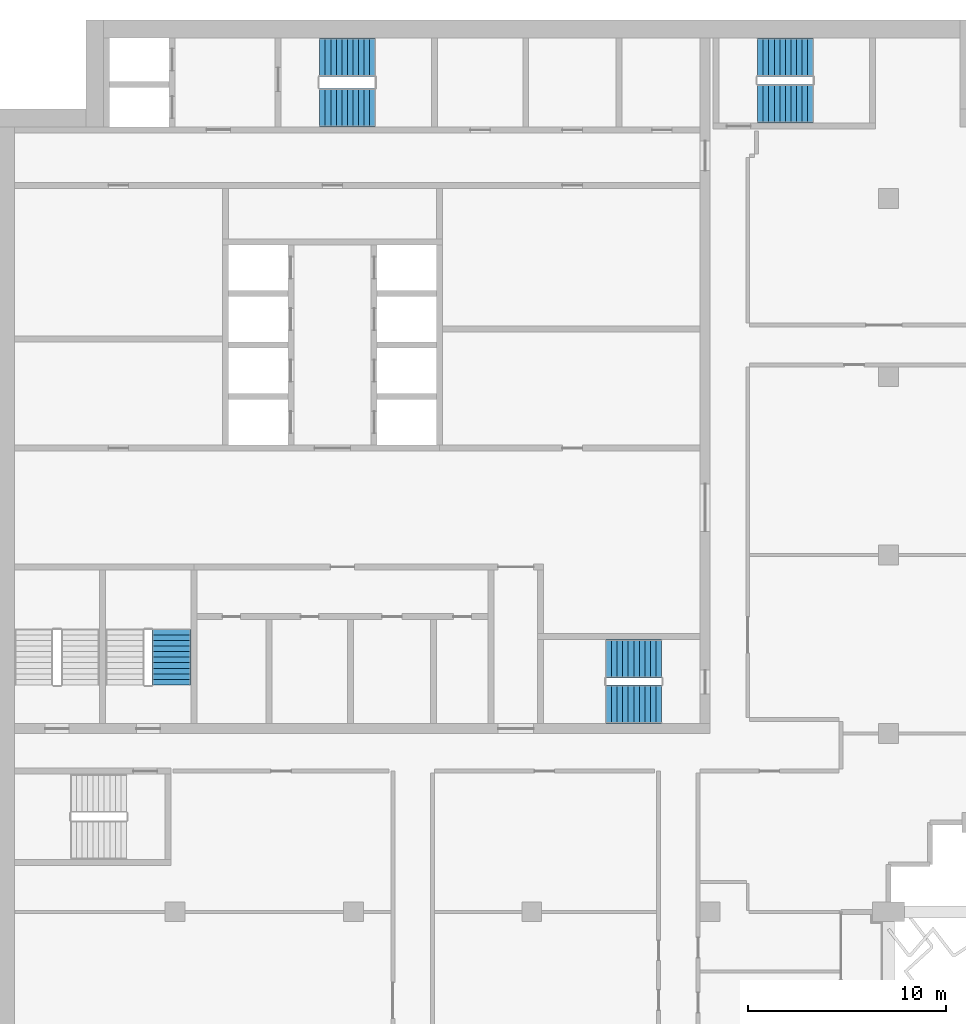
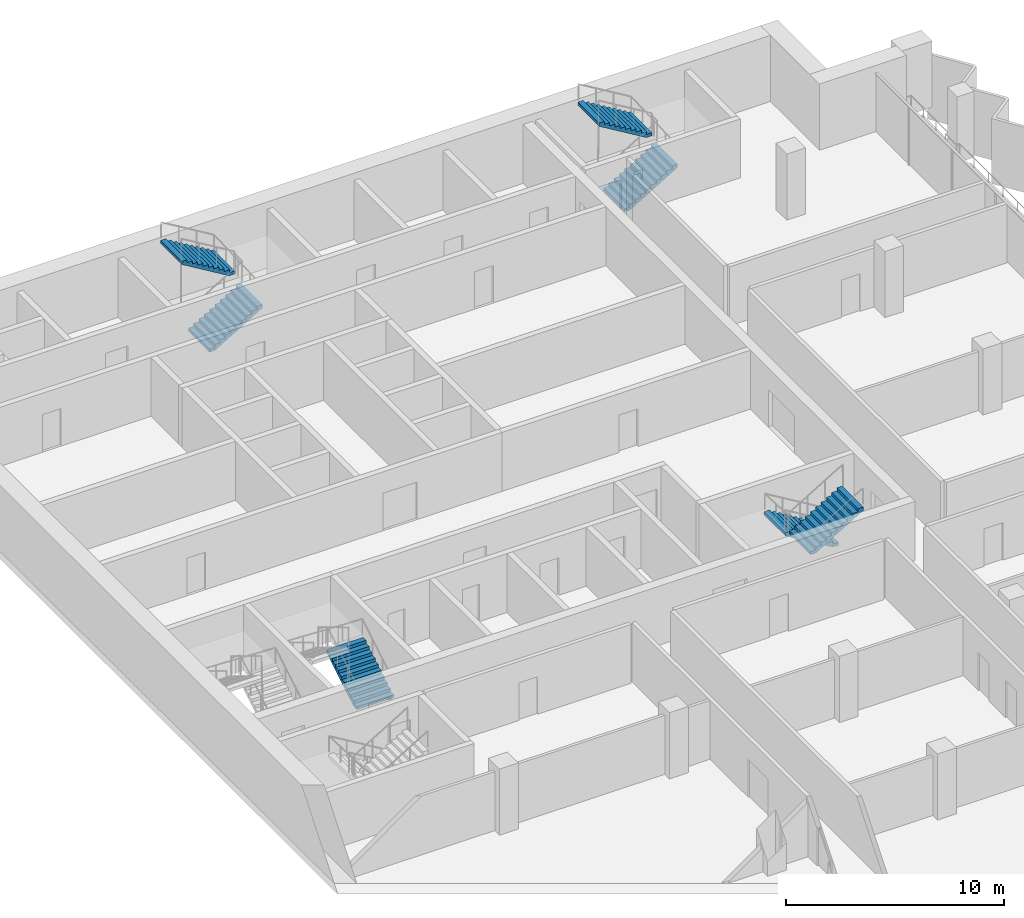
# One storey, part 12 of 16: 7 stair flights, 4 elements without a shape of their own.
"""IFC4 building model written with IfcOpenShell, lengths in metres."""

from ifc_helpers import new_model, si_unit, direction, frame, origin, place, context, subcontext, project, spatial, polyline, outline, extrude, material, type_object, element, aggregate, save


model = new_model("IFC4")

# Units and contexts
model_context = context("Model", 3, precision=1e-05, world=origin(), true_north=direction((0.0, 1.0)))
body_context = subcontext(model_context, "Body", "Model", "MODEL_VIEW")
ifc_project = project(units=[si_unit("LENGTHUNIT", "METRE"), si_unit("AREAUNIT", "SQUARE_METRE"), si_unit("VOLUMEUNIT", "CUBIC_METRE"), si_unit("PLANEANGLEUNIT", "RADIAN"), si_unit("MASSUNIT", "GRAM", prefix="KILO")], contexts=[model_context])

# Site, building, storey
site_placement = place(None, origin())
site = spatial("IfcSite", under=ifc_project, at=site_placement, CompositionType="ELEMENT")
building_placement = place(site_placement, origin())
building = spatial("IfcBuilding", under=site, at=building_placement, Name="Hunhe Ridgeline Campus", CompositionType="ELEMENT")
storey_placement = place(building_placement, frame((0.0, 0.0, 261.39990234375)))
storey = spatial("IfcBuildingStorey", under=building, at=storey_placement, Name="L67", CompositionType="ELEMENT", Elevation=261.39990234375)

# Stair, stair flights
ifc_material = material(Name="Concrete C40", Category="concrete")
stair_type = type_object("IfcStairType", Name="Reinforced concrete dog-leg stair 1950 Concrete C40", PredefinedType="HALF_TURN_STAIR", material=ifc_material)
stair_1_placement = place(storey_placement, origin())
stair_1 = element("IfcStair", 1, at=stair_1_placement, inside=storey, type_object=stair_type, Name="L67 S1", PredefinedType="HALF_TURN_STAIR")
stair_flight_type = type_object("IfcStairFlightType", Name="Reinforced concrete stair flight 1950 Concrete C40", PredefinedType="STRAIGHT", material=ifc_material)
stair_flight_1_placement = place(storey_placement, frame((16.300048828125, 94.574951171875, 0.0), z_axis=(0.0, 0.0, 1.0), x_axis=(1.0, 0.0, 0.0)))
stair_flight_1 = element("IfcStairFlight", 2, at=stair_flight_1_placement, type_object=stair_flight_type, Name="ST1 flight 1", NumberOfRisers=11, NumberOfTreads=10, PredefinedType="STRAIGHT", RiserHeight=0.168181818, TreadLength=0.28, context=body_context, shape_type="SweptSolid", body=[
    extrude(outline(polyline([(0.0, 0.0), (0.0, 0.168212890625), (0.280029296875, 0.168212890625), (0.280029296875, 0.33642578125), (0.56005859375, 0.33642578125), (0.56005859375, 0.504638671875), (0.840087890625, 0.504638671875), (0.840087890625, 0.672607421875), (1.1201171875, 0.672607421875), (1.1201171875, 0.8408203125), (1.39990234375, 0.8408203125), (1.39990234375, 1.009033203125), (1.679931640625, 1.009033203125), (1.679931640625, 1.17724609375), (1.9599609375, 1.17724609375), (1.9599609375, 1.345458984375), (2.239990234375, 1.345458984375), (2.239990234375, 1.513671875), (2.52001953125, 1.513671875), (2.52001953125, 1.681884765625), (2.800048828125, 1.681884765625), (2.800048828125, 1.85009765625), (2.800048828125, 1.5068359375), (0.291015625, 0.0), (0.0, 0.0)])), frame((0.0, 0.97509765625, 0.0), z_axis=(0.0, -1.0, 0.0), x_axis=(1.0, 0.0, 0.0)), (0.0, 0.0, 1.0), 1.949951171875),
    extrude(outline(polyline([(0.030029296875, 0.030029296875), (0.030029296875, 0.13818359375), (0.31005859375, 0.13818359375), (0.31005859375, 0.306396484375), (0.590087890625, 0.306396484375), (0.590087890625, 0.474609375), (0.8701171875, 0.474609375), (0.8701171875, 0.642578125), (1.14990234375, 0.642578125), (1.14990234375, 0.810791015625), (1.429931640625, 0.810791015625), (1.429931640625, 0.97900390625), (1.7099609375, 0.97900390625), (1.7099609375, 1.147216796875), (1.989990234375, 1.147216796875), (1.989990234375, 1.3154296875), (2.27001953125, 1.3154296875), (2.27001953125, 1.483642578125), (2.550048828125, 1.483642578125), (2.550048828125, 1.65185546875), (2.77001953125, 1.65185546875), (2.77001953125, 1.52392578125), (0.28271484375, 0.030029296875), (0.030029296875, 0.030029296875)])), frame((0.0, -0.070068359375, 0.0), z_axis=(0.0, -1.0, 0.0), x_axis=(1.0, 0.0, 0.0)), (0.0, 0.0, 1.0), 0.019775390625),
    extrude(outline(polyline([(0.030029296875, 0.030029296875), (0.030029296875, 0.13818359375), (0.31005859375, 0.13818359375), (0.31005859375, 0.306396484375), (0.590087890625, 0.306396484375), (0.590087890625, 0.474609375), (0.8701171875, 0.474609375), (0.8701171875, 0.642578125), (1.14990234375, 0.642578125), (1.14990234375, 0.810791015625), (1.429931640625, 0.810791015625), (1.429931640625, 0.97900390625), (1.7099609375, 0.97900390625), (1.7099609375, 1.147216796875), (1.989990234375, 1.147216796875), (1.989990234375, 1.3154296875), (2.27001953125, 1.3154296875), (2.27001953125, 1.483642578125), (2.550048828125, 1.483642578125), (2.550048828125, 1.65185546875), (2.77001953125, 1.65185546875), (2.77001953125, 1.52392578125), (0.28271484375, 0.030029296875), (0.030029296875, 0.030029296875)])), frame((0.0, 0.010009765625, 0.0), z_axis=(0.0, -1.0, 0.0), x_axis=(1.0, 0.0, 0.0)), (0.0, 0.0, 1.0), 0.019775390625),
    extrude(outline(polyline([(0.030029296875, 0.030029296875), (0.030029296875, 0.13818359375), (0.31005859375, 0.13818359375), (0.31005859375, 0.306396484375), (0.590087890625, 0.306396484375), (0.590087890625, 0.474609375), (0.8701171875, 0.474609375), (0.8701171875, 0.642578125), (1.14990234375, 0.642578125), (1.14990234375, 0.810791015625), (1.429931640625, 0.810791015625), (1.429931640625, 0.97900390625), (1.7099609375, 0.97900390625), (1.7099609375, 1.147216796875), (1.989990234375, 1.147216796875), (1.989990234375, 1.3154296875), (2.27001953125, 1.3154296875), (2.27001953125, 1.483642578125), (2.550048828125, 1.483642578125), (2.550048828125, 1.65185546875), (2.77001953125, 1.65185546875), (2.77001953125, 1.52392578125), (0.28271484375, 0.030029296875), (0.030029296875, 0.030029296875)])), frame((0.0, 0.090087890625, 0.0), z_axis=(0.0, -1.0, 0.0), x_axis=(1.0, 0.0, 0.0)), (0.0, 0.0, 1.0), 0.019775390625),
])
stair_flight_2_placement = place(storey_placement, frame((19.10009765625, 97.125, 1.85009765625), z_axis=(0.0, 0.0, 1.0), x_axis=(-1.0, 0.0, 0.0)))
stair_flight_2 = element("IfcStairFlight", 3, at=stair_flight_2_placement, type_object=stair_flight_type, Name="ST1 flight 2", NumberOfRisers=11, NumberOfTreads=10, PredefinedType="STRAIGHT", RiserHeight=0.168181818, TreadLength=0.28, context=body_context, shape_type="SweptSolid", body=[
    extrude(outline(polyline([(0.0, 0.0), (0.0, 0.168212890625), (0.280029296875, 0.168212890625), (0.280029296875, 0.33642578125), (0.56005859375, 0.33642578125), (0.56005859375, 0.504638671875), (0.840087890625, 0.504638671875), (0.840087890625, 0.672607421875), (1.1201171875, 0.672607421875), (1.1201171875, 0.8408203125), (1.39990234375, 0.8408203125), (1.39990234375, 1.009033203125), (1.679931640625, 1.009033203125), (1.679931640625, 1.17724609375), (1.9599609375, 1.17724609375), (1.9599609375, 1.345458984375), (2.239990234375, 1.345458984375), (2.239990234375, 1.513671875), (2.52001953125, 1.513671875), (2.52001953125, 1.681884765625), (2.800048828125, 1.681884765625), (2.800048828125, 1.85009765625), (2.800048828125, 1.5068359375), (0.291015625, 0.0), (0.0, 0.0)])), frame((0.0, 0.97509765625, 0.0), z_axis=(0.0, -1.0, 0.0), x_axis=(1.0, 0.0, 0.0)), (0.0, 0.0, 1.0), 1.949951171875),
    extrude(outline(polyline([(0.030029296875, 0.030029296875), (0.030029296875, 0.13818359375), (0.31005859375, 0.13818359375), (0.31005859375, 0.306396484375), (0.590087890625, 0.306396484375), (0.590087890625, 0.474609375), (0.8701171875, 0.474609375), (0.8701171875, 0.642578125), (1.14990234375, 0.642578125), (1.14990234375, 0.810791015625), (1.429931640625, 0.810791015625), (1.429931640625, 0.97900390625), (1.7099609375, 0.97900390625), (1.7099609375, 1.147216796875), (1.989990234375, 1.147216796875), (1.989990234375, 1.3154296875), (2.27001953125, 1.3154296875), (2.27001953125, 1.483642578125), (2.550048828125, 1.483642578125), (2.550048828125, 1.65185546875), (2.77001953125, 1.65185546875), (2.77001953125, 1.52392578125), (0.28271484375, 0.030029296875), (0.030029296875, 0.030029296875)])), frame((0.0, -0.070068359375, 0.0), z_axis=(0.0, -1.0, 0.0), x_axis=(1.0, 0.0, 0.0)), (0.0, 0.0, 1.0), 0.019775390625),
    extrude(outline(polyline([(0.030029296875, 0.030029296875), (0.030029296875, 0.13818359375), (0.31005859375, 0.13818359375), (0.31005859375, 0.306396484375), (0.590087890625, 0.306396484375), (0.590087890625, 0.474609375), (0.8701171875, 0.474609375), (0.8701171875, 0.642578125), (1.14990234375, 0.642578125), (1.14990234375, 0.810791015625), (1.429931640625, 0.810791015625), (1.429931640625, 0.97900390625), (1.7099609375, 0.97900390625), (1.7099609375, 1.147216796875), (1.989990234375, 1.147216796875), (1.989990234375, 1.3154296875), (2.27001953125, 1.3154296875), (2.27001953125, 1.483642578125), (2.550048828125, 1.483642578125), (2.550048828125, 1.65185546875), (2.77001953125, 1.65185546875), (2.77001953125, 1.52392578125), (0.28271484375, 0.030029296875), (0.030029296875, 0.030029296875)])), frame((0.0, 0.010009765625, 0.0), z_axis=(0.0, -1.0, 0.0), x_axis=(1.0, 0.0, 0.0)), (0.0, 0.0, 1.0), 0.019775390625),
    extrude(outline(polyline([(0.030029296875, 0.030029296875), (0.030029296875, 0.13818359375), (0.31005859375, 0.13818359375), (0.31005859375, 0.306396484375), (0.590087890625, 0.306396484375), (0.590087890625, 0.474609375), (0.8701171875, 0.474609375), (0.8701171875, 0.642578125), (1.14990234375, 0.642578125), (1.14990234375, 0.810791015625), (1.429931640625, 0.810791015625), (1.429931640625, 0.97900390625), (1.7099609375, 0.97900390625), (1.7099609375, 1.147216796875), (1.989990234375, 1.147216796875), (1.989990234375, 1.3154296875), (2.27001953125, 1.3154296875), (2.27001953125, 1.483642578125), (2.550048828125, 1.483642578125), (2.550048828125, 1.65185546875), (2.77001953125, 1.65185546875), (2.77001953125, 1.52392578125), (0.28271484375, 0.030029296875), (0.030029296875, 0.030029296875)])), frame((0.0, 0.090087890625, 0.0), z_axis=(0.0, -1.0, 0.0), x_axis=(1.0, 0.0, 0.0)), (0.0, 0.0, 1.0), 0.019775390625),
])
aggregate(stair_1, [stair_flight_1, stair_flight_2])

stair_2_placement = place(storey_placement, origin())
stair_2 = element("IfcStair", 4, at=stair_2_placement, inside=storey, type_object=stair_type, Name="L67 S2", PredefinedType="HALF_TURN_STAIR")
stair_flight_3_placement = place(storey_placement, frame((33.550048828125, 66.77490234375, 0.0), z_axis=(0.0, 0.0, 1.0), x_axis=(-1.0, 0.0, 0.0)))
stair_flight_3 = element("IfcStairFlight", 5, at=stair_flight_3_placement, type_object=stair_flight_type, Name="ST2 flight 1", NumberOfRisers=11, NumberOfTreads=10, PredefinedType="STRAIGHT", RiserHeight=0.168181818, TreadLength=0.28, context=body_context, shape_type="SweptSolid", body=[
    extrude(outline(polyline([(0.0, 0.0), (0.0, 0.168212890625), (0.280029296875, 0.168212890625), (0.280029296875, 0.33642578125), (0.56005859375, 0.33642578125), (0.56005859375, 0.504638671875), (0.840087890625, 0.504638671875), (0.840087890625, 0.672607421875), (1.1201171875, 0.672607421875), (1.1201171875, 0.8408203125), (1.39990234375, 0.8408203125), (1.39990234375, 1.009033203125), (1.679931640625, 1.009033203125), (1.679931640625, 1.17724609375), (1.9599609375, 1.17724609375), (1.9599609375, 1.345458984375), (2.239990234375, 1.345458984375), (2.239990234375, 1.513671875), (2.52001953125, 1.513671875), (2.52001953125, 1.681884765625), (2.800048828125, 1.681884765625), (2.800048828125, 1.85009765625), (2.800048828125, 1.5068359375), (0.291015625, 0.0), (0.0, 0.0)])), frame((0.0, 0.97509765625, 0.0), z_axis=(0.0, -1.0, 0.0), x_axis=(1.0, 0.0, 0.0)), (0.0, 0.0, 1.0), 1.949951171875),
    extrude(outline(polyline([(0.030029296875, 0.030029296875), (0.030029296875, 0.13818359375), (0.31005859375, 0.13818359375), (0.31005859375, 0.306396484375), (0.590087890625, 0.306396484375), (0.590087890625, 0.474609375), (0.8701171875, 0.474609375), (0.8701171875, 0.642578125), (1.14990234375, 0.642578125), (1.14990234375, 0.810791015625), (1.429931640625, 0.810791015625), (1.429931640625, 0.97900390625), (1.7099609375, 0.97900390625), (1.7099609375, 1.147216796875), (1.989990234375, 1.147216796875), (1.989990234375, 1.3154296875), (2.27001953125, 1.3154296875), (2.27001953125, 1.483642578125), (2.550048828125, 1.483642578125), (2.550048828125, 1.65185546875), (2.77001953125, 1.65185546875), (2.77001953125, 1.52392578125), (0.28271484375, 0.030029296875), (0.030029296875, 0.030029296875)])), frame((0.0, -0.070068359375, 0.0), z_axis=(0.0, -1.0, 0.0), x_axis=(1.0, 0.0, 0.0)), (0.0, 0.0, 1.0), 0.019775390625),
    extrude(outline(polyline([(0.030029296875, 0.030029296875), (0.030029296875, 0.13818359375), (0.31005859375, 0.13818359375), (0.31005859375, 0.306396484375), (0.590087890625, 0.306396484375), (0.590087890625, 0.474609375), (0.8701171875, 0.474609375), (0.8701171875, 0.642578125), (1.14990234375, 0.642578125), (1.14990234375, 0.810791015625), (1.429931640625, 0.810791015625), (1.429931640625, 0.97900390625), (1.7099609375, 0.97900390625), (1.7099609375, 1.147216796875), (1.989990234375, 1.147216796875), (1.989990234375, 1.3154296875), (2.27001953125, 1.3154296875), (2.27001953125, 1.483642578125), (2.550048828125, 1.483642578125), (2.550048828125, 1.65185546875), (2.77001953125, 1.65185546875), (2.77001953125, 1.52392578125), (0.28271484375, 0.030029296875), (0.030029296875, 0.030029296875)])), frame((0.0, 0.010009765625, 0.0), z_axis=(0.0, -1.0, 0.0), x_axis=(1.0, 0.0, 0.0)), (0.0, 0.0, 1.0), 0.019775390625),
    extrude(outline(polyline([(0.030029296875, 0.030029296875), (0.030029296875, 0.13818359375), (0.31005859375, 0.13818359375), (0.31005859375, 0.306396484375), (0.590087890625, 0.306396484375), (0.590087890625, 0.474609375), (0.8701171875, 0.474609375), (0.8701171875, 0.642578125), (1.14990234375, 0.642578125), (1.14990234375, 0.810791015625), (1.429931640625, 0.810791015625), (1.429931640625, 0.97900390625), (1.7099609375, 0.97900390625), (1.7099609375, 1.147216796875), (1.989990234375, 1.147216796875), (1.989990234375, 1.3154296875), (2.27001953125, 1.3154296875), (2.27001953125, 1.483642578125), (2.550048828125, 1.483642578125), (2.550048828125, 1.65185546875), (2.77001953125, 1.65185546875), (2.77001953125, 1.52392578125), (0.28271484375, 0.030029296875), (0.030029296875, 0.030029296875)])), frame((0.0, 0.090087890625, 0.0), z_axis=(0.0, -1.0, 0.0), x_axis=(1.0, 0.0, 0.0)), (0.0, 0.0, 1.0), 0.019775390625),
])
stair_flight_4_placement = place(storey_placement, frame((30.75, 64.47509765625, 1.85009765625), z_axis=(0.0, 0.0, 1.0), x_axis=(1.0, 0.0, 0.0)))
stair_flight_4 = element("IfcStairFlight", 6, at=stair_flight_4_placement, type_object=stair_flight_type, Name="ST2 flight 2", NumberOfRisers=11, NumberOfTreads=10, PredefinedType="STRAIGHT", RiserHeight=0.168181818, TreadLength=0.28, context=body_context, shape_type="SweptSolid", body=[
    extrude(outline(polyline([(0.0, 0.0), (0.0, 0.168212890625), (0.280029296875, 0.168212890625), (0.280029296875, 0.33642578125), (0.56005859375, 0.33642578125), (0.56005859375, 0.504638671875), (0.840087890625, 0.504638671875), (0.840087890625, 0.672607421875), (1.1201171875, 0.672607421875), (1.1201171875, 0.8408203125), (1.39990234375, 0.8408203125), (1.39990234375, 1.009033203125), (1.679931640625, 1.009033203125), (1.679931640625, 1.17724609375), (1.9599609375, 1.17724609375), (1.9599609375, 1.345458984375), (2.239990234375, 1.345458984375), (2.239990234375, 1.513671875), (2.52001953125, 1.513671875), (2.52001953125, 1.681884765625), (2.800048828125, 1.681884765625), (2.800048828125, 1.85009765625), (2.800048828125, 1.5068359375), (0.291015625, 0.0), (0.0, 0.0)])), frame((0.0, 0.97509765625, 0.0), z_axis=(0.0, -1.0, 0.0), x_axis=(1.0, 0.0, 0.0)), (0.0, 0.0, 1.0), 1.949951171875),
    extrude(outline(polyline([(0.030029296875, 0.030029296875), (0.030029296875, 0.13818359375), (0.31005859375, 0.13818359375), (0.31005859375, 0.306396484375), (0.590087890625, 0.306396484375), (0.590087890625, 0.474609375), (0.8701171875, 0.474609375), (0.8701171875, 0.642578125), (1.14990234375, 0.642578125), (1.14990234375, 0.810791015625), (1.429931640625, 0.810791015625), (1.429931640625, 0.97900390625), (1.7099609375, 0.97900390625), (1.7099609375, 1.147216796875), (1.989990234375, 1.147216796875), (1.989990234375, 1.3154296875), (2.27001953125, 1.3154296875), (2.27001953125, 1.483642578125), (2.550048828125, 1.483642578125), (2.550048828125, 1.65185546875), (2.77001953125, 1.65185546875), (2.77001953125, 1.52392578125), (0.28271484375, 0.030029296875), (0.030029296875, 0.030029296875)])), frame((0.0, -0.070068359375, 0.0), z_axis=(0.0, -1.0, 0.0), x_axis=(1.0, 0.0, 0.0)), (0.0, 0.0, 1.0), 0.019775390625),
    extrude(outline(polyline([(0.030029296875, 0.030029296875), (0.030029296875, 0.13818359375), (0.31005859375, 0.13818359375), (0.31005859375, 0.306396484375), (0.590087890625, 0.306396484375), (0.590087890625, 0.474609375), (0.8701171875, 0.474609375), (0.8701171875, 0.642578125), (1.14990234375, 0.642578125), (1.14990234375, 0.810791015625), (1.429931640625, 0.810791015625), (1.429931640625, 0.97900390625), (1.7099609375, 0.97900390625), (1.7099609375, 1.147216796875), (1.989990234375, 1.147216796875), (1.989990234375, 1.3154296875), (2.27001953125, 1.3154296875), (2.27001953125, 1.483642578125), (2.550048828125, 1.483642578125), (2.550048828125, 1.65185546875), (2.77001953125, 1.65185546875), (2.77001953125, 1.52392578125), (0.28271484375, 0.030029296875), (0.030029296875, 0.030029296875)])), frame((0.0, 0.010009765625, 0.0), z_axis=(0.0, -1.0, 0.0), x_axis=(1.0, 0.0, 0.0)), (0.0, 0.0, 1.0), 0.019775390625),
    extrude(outline(polyline([(0.030029296875, 0.030029296875), (0.030029296875, 0.13818359375), (0.31005859375, 0.13818359375), (0.31005859375, 0.306396484375), (0.590087890625, 0.306396484375), (0.590087890625, 0.474609375), (0.8701171875, 0.474609375), (0.8701171875, 0.642578125), (1.14990234375, 0.642578125), (1.14990234375, 0.810791015625), (1.429931640625, 0.810791015625), (1.429931640625, 0.97900390625), (1.7099609375, 0.97900390625), (1.7099609375, 1.147216796875), (1.989990234375, 1.147216796875), (1.989990234375, 1.3154296875), (2.27001953125, 1.3154296875), (2.27001953125, 1.483642578125), (2.550048828125, 1.483642578125), (2.550048828125, 1.65185546875), (2.77001953125, 1.65185546875), (2.77001953125, 1.52392578125), (0.28271484375, 0.030029296875), (0.030029296875, 0.030029296875)])), frame((0.0, 0.090087890625, 0.0), z_axis=(0.0, -1.0, 0.0), x_axis=(1.0, 0.0, 0.0)), (0.0, 0.0, 1.0), 0.019775390625),
])
aggregate(stair_2, [stair_flight_3, stair_flight_4])

# Stair, stair flight
stair_3_placement = place(storey_placement, origin())
stair_3 = element("IfcStair", 7, at=stair_3_placement, inside=storey, type_object=stair_type, Name="L67 S4", PredefinedType="HALF_TURN_STAIR")
stair_flight_5_placement = place(storey_placement, frame((8.824951171875, 65.449951171875, 0.0), z_axis=(0.0, 0.0, 1.0), x_axis=(0.0, 1.0, 0.0)))
stair_flight_5 = element("IfcStairFlight", 8, at=stair_flight_5_placement, type_object=stair_flight_type, Name="ST4 flight 1", NumberOfRisers=11, NumberOfTreads=10, PredefinedType="STRAIGHT", RiserHeight=0.168181818, TreadLength=0.28, context=body_context, shape_type="SweptSolid", body=[
    extrude(outline(polyline([(0.0, 0.0), (0.0, 0.168212890625), (0.280029296875, 0.168212890625), (0.280029296875, 0.33642578125), (0.56005859375, 0.33642578125), (0.56005859375, 0.504638671875), (0.840087890625, 0.504638671875), (0.840087890625, 0.672607421875), (1.1201171875, 0.672607421875), (1.1201171875, 0.8408203125), (1.39990234375, 0.8408203125), (1.39990234375, 1.009033203125), (1.679931640625, 1.009033203125), (1.679931640625, 1.17724609375), (1.9599609375, 1.17724609375), (1.9599609375, 1.345458984375), (2.239990234375, 1.345458984375), (2.239990234375, 1.513671875), (2.52001953125, 1.513671875), (2.52001953125, 1.681884765625), (2.800048828125, 1.681884765625), (2.800048828125, 1.85009765625), (2.800048828125, 1.5068359375), (0.291015625, 0.0), (0.0, 0.0)])), frame((0.0, 0.97509765625, 0.0), z_axis=(0.0, -1.0, 0.0), x_axis=(1.0, 0.0, 0.0)), (0.0, 0.0, 1.0), 1.949951171875),
    extrude(outline(polyline([(0.030029296875, 0.030029296875), (0.030029296875, 0.13818359375), (0.31005859375, 0.13818359375), (0.31005859375, 0.306396484375), (0.590087890625, 0.306396484375), (0.590087890625, 0.474609375), (0.8701171875, 0.474609375), (0.8701171875, 0.642578125), (1.14990234375, 0.642578125), (1.14990234375, 0.810791015625), (1.429931640625, 0.810791015625), (1.429931640625, 0.97900390625), (1.7099609375, 0.97900390625), (1.7099609375, 1.147216796875), (1.989990234375, 1.147216796875), (1.989990234375, 1.3154296875), (2.27001953125, 1.3154296875), (2.27001953125, 1.483642578125), (2.550048828125, 1.483642578125), (2.550048828125, 1.65185546875), (2.77001953125, 1.65185546875), (2.77001953125, 1.52392578125), (0.28271484375, 0.030029296875), (0.030029296875, 0.030029296875)])), frame((0.0, -0.070068359375, 0.0), z_axis=(0.0, -1.0, 0.0), x_axis=(1.0, 0.0, 0.0)), (0.0, 0.0, 1.0), 0.019775390625),
    extrude(outline(polyline([(0.030029296875, 0.030029296875), (0.030029296875, 0.13818359375), (0.31005859375, 0.13818359375), (0.31005859375, 0.306396484375), (0.590087890625, 0.306396484375), (0.590087890625, 0.474609375), (0.8701171875, 0.474609375), (0.8701171875, 0.642578125), (1.14990234375, 0.642578125), (1.14990234375, 0.810791015625), (1.429931640625, 0.810791015625), (1.429931640625, 0.97900390625), (1.7099609375, 0.97900390625), (1.7099609375, 1.147216796875), (1.989990234375, 1.147216796875), (1.989990234375, 1.3154296875), (2.27001953125, 1.3154296875), (2.27001953125, 1.483642578125), (2.550048828125, 1.483642578125), (2.550048828125, 1.65185546875), (2.77001953125, 1.65185546875), (2.77001953125, 1.52392578125), (0.28271484375, 0.030029296875), (0.030029296875, 0.030029296875)])), frame((0.0, 0.010009765625, 0.0), z_axis=(0.0, -1.0, 0.0), x_axis=(1.0, 0.0, 0.0)), (0.0, 0.0, 1.0), 0.019775390625),
    extrude(outline(polyline([(0.030029296875, 0.030029296875), (0.030029296875, 0.13818359375), (0.31005859375, 0.13818359375), (0.31005859375, 0.306396484375), (0.590087890625, 0.306396484375), (0.590087890625, 0.474609375), (0.8701171875, 0.474609375), (0.8701171875, 0.642578125), (1.14990234375, 0.642578125), (1.14990234375, 0.810791015625), (1.429931640625, 0.810791015625), (1.429931640625, 0.97900390625), (1.7099609375, 0.97900390625), (1.7099609375, 1.147216796875), (1.989990234375, 1.147216796875), (1.989990234375, 1.3154296875), (2.27001953125, 1.3154296875), (2.27001953125, 1.483642578125), (2.550048828125, 1.483642578125), (2.550048828125, 1.65185546875), (2.77001953125, 1.65185546875), (2.77001953125, 1.52392578125), (0.28271484375, 0.030029296875), (0.030029296875, 0.030029296875)])), frame((0.0, 0.090087890625, 0.0), z_axis=(0.0, -1.0, 0.0), x_axis=(1.0, 0.0, 0.0)), (0.0, 0.0, 1.0), 0.019775390625),
])
aggregate(stair_3, [stair_flight_5])

# Stair, stair flights
stair_4_placement = place(storey_placement, origin())
stair_4 = element("IfcStair", 9, at=stair_4_placement, inside=storey, type_object=stair_type, Name="L67 E1", PredefinedType="HALF_TURN_STAIR")
stair_flight_6_placement = place(storey_placement, frame((38.39990234375, 94.77490234375, 0.0), z_axis=(0.0, 0.0, 1.0), x_axis=(1.0, 0.0, 0.0)))
stair_flight_6 = element("IfcStairFlight", 10, at=stair_flight_6_placement, type_object=stair_flight_type, Name="ST5 flight 1", NumberOfRisers=11, NumberOfTreads=10, PredefinedType="STRAIGHT", RiserHeight=0.168181818, TreadLength=0.28, context=body_context, shape_type="SweptSolid", body=[
    extrude(outline(polyline([(0.0, 0.0), (0.0, 0.168212890625), (0.280029296875, 0.168212890625), (0.280029296875, 0.33642578125), (0.56005859375, 0.33642578125), (0.56005859375, 0.504638671875), (0.840087890625, 0.504638671875), (0.840087890625, 0.672607421875), (1.1201171875, 0.672607421875), (1.1201171875, 0.8408203125), (1.39990234375, 0.8408203125), (1.39990234375, 1.009033203125), (1.679931640625, 1.009033203125), (1.679931640625, 1.17724609375), (1.9599609375, 1.17724609375), (1.9599609375, 1.345458984375), (2.239990234375, 1.345458984375), (2.239990234375, 1.513671875), (2.52001953125, 1.513671875), (2.52001953125, 1.681884765625), (2.800048828125, 1.681884765625), (2.800048828125, 1.85009765625), (2.800048828125, 1.5068359375), (0.291015625, 0.0), (0.0, 0.0)])), frame((0.0, 0.97509765625, 0.0), z_axis=(0.0, -1.0, 0.0), x_axis=(1.0, 0.0, 0.0)), (0.0, 0.0, 1.0), 1.949951171875),
    extrude(outline(polyline([(0.030029296875, 0.030029296875), (0.030029296875, 0.13818359375), (0.31005859375, 0.13818359375), (0.31005859375, 0.306396484375), (0.590087890625, 0.306396484375), (0.590087890625, 0.474609375), (0.8701171875, 0.474609375), (0.8701171875, 0.642578125), (1.14990234375, 0.642578125), (1.14990234375, 0.810791015625), (1.429931640625, 0.810791015625), (1.429931640625, 0.97900390625), (1.7099609375, 0.97900390625), (1.7099609375, 1.147216796875), (1.989990234375, 1.147216796875), (1.989990234375, 1.3154296875), (2.27001953125, 1.3154296875), (2.27001953125, 1.483642578125), (2.550048828125, 1.483642578125), (2.550048828125, 1.65185546875), (2.77001953125, 1.65185546875), (2.77001953125, 1.52392578125), (0.28271484375, 0.030029296875), (0.030029296875, 0.030029296875)])), frame((0.0, -0.070068359375, 0.0), z_axis=(0.0, -1.0, 0.0), x_axis=(1.0, 0.0, 0.0)), (0.0, 0.0, 1.0), 0.019775390625),
    extrude(outline(polyline([(0.030029296875, 0.030029296875), (0.030029296875, 0.13818359375), (0.31005859375, 0.13818359375), (0.31005859375, 0.306396484375), (0.590087890625, 0.306396484375), (0.590087890625, 0.474609375), (0.8701171875, 0.474609375), (0.8701171875, 0.642578125), (1.14990234375, 0.642578125), (1.14990234375, 0.810791015625), (1.429931640625, 0.810791015625), (1.429931640625, 0.97900390625), (1.7099609375, 0.97900390625), (1.7099609375, 1.147216796875), (1.989990234375, 1.147216796875), (1.989990234375, 1.3154296875), (2.27001953125, 1.3154296875), (2.27001953125, 1.483642578125), (2.550048828125, 1.483642578125), (2.550048828125, 1.65185546875), (2.77001953125, 1.65185546875), (2.77001953125, 1.52392578125), (0.28271484375, 0.030029296875), (0.030029296875, 0.030029296875)])), frame((0.0, 0.010009765625, 0.0), z_axis=(0.0, -1.0, 0.0), x_axis=(1.0, 0.0, 0.0)), (0.0, 0.0, 1.0), 0.019775390625),
    extrude(outline(polyline([(0.030029296875, 0.030029296875), (0.030029296875, 0.13818359375), (0.31005859375, 0.13818359375), (0.31005859375, 0.306396484375), (0.590087890625, 0.306396484375), (0.590087890625, 0.474609375), (0.8701171875, 0.474609375), (0.8701171875, 0.642578125), (1.14990234375, 0.642578125), (1.14990234375, 0.810791015625), (1.429931640625, 0.810791015625), (1.429931640625, 0.97900390625), (1.7099609375, 0.97900390625), (1.7099609375, 1.147216796875), (1.989990234375, 1.147216796875), (1.989990234375, 1.3154296875), (2.27001953125, 1.3154296875), (2.27001953125, 1.483642578125), (2.550048828125, 1.483642578125), (2.550048828125, 1.65185546875), (2.77001953125, 1.65185546875), (2.77001953125, 1.52392578125), (0.28271484375, 0.030029296875), (0.030029296875, 0.030029296875)])), frame((0.0, 0.090087890625, 0.0), z_axis=(0.0, -1.0, 0.0), x_axis=(1.0, 0.0, 0.0)), (0.0, 0.0, 1.0), 0.019775390625),
])
stair_flight_7_placement = place(storey_placement, frame((41.199951171875, 97.125, 1.85009765625), z_axis=(0.0, 0.0, 1.0), x_axis=(-1.0, 0.0, 0.0)))
stair_flight_7 = element("IfcStairFlight", 11, at=stair_flight_7_placement, type_object=stair_flight_type, Name="ST5 flight 2", NumberOfRisers=11, NumberOfTreads=10, PredefinedType="STRAIGHT", RiserHeight=0.168181818, TreadLength=0.28, context=body_context, shape_type="SweptSolid", body=[
    extrude(outline(polyline([(0.0, 0.0), (0.0, 0.168212890625), (0.280029296875, 0.168212890625), (0.280029296875, 0.33642578125), (0.56005859375, 0.33642578125), (0.56005859375, 0.504638671875), (0.840087890625, 0.504638671875), (0.840087890625, 0.672607421875), (1.1201171875, 0.672607421875), (1.1201171875, 0.8408203125), (1.39990234375, 0.8408203125), (1.39990234375, 1.009033203125), (1.679931640625, 1.009033203125), (1.679931640625, 1.17724609375), (1.9599609375, 1.17724609375), (1.9599609375, 1.345458984375), (2.239990234375, 1.345458984375), (2.239990234375, 1.513671875), (2.52001953125, 1.513671875), (2.52001953125, 1.681884765625), (2.800048828125, 1.681884765625), (2.800048828125, 1.85009765625), (2.800048828125, 1.5068359375), (0.291015625, 0.0), (0.0, 0.0)])), frame((0.0, 0.97509765625, 0.0), z_axis=(0.0, -1.0, 0.0), x_axis=(1.0, 0.0, 0.0)), (0.0, 0.0, 1.0), 1.949951171875),
    extrude(outline(polyline([(0.030029296875, 0.030029296875), (0.030029296875, 0.13818359375), (0.31005859375, 0.13818359375), (0.31005859375, 0.306396484375), (0.590087890625, 0.306396484375), (0.590087890625, 0.474609375), (0.8701171875, 0.474609375), (0.8701171875, 0.642578125), (1.14990234375, 0.642578125), (1.14990234375, 0.810791015625), (1.429931640625, 0.810791015625), (1.429931640625, 0.97900390625), (1.7099609375, 0.97900390625), (1.7099609375, 1.147216796875), (1.989990234375, 1.147216796875), (1.989990234375, 1.3154296875), (2.27001953125, 1.3154296875), (2.27001953125, 1.483642578125), (2.550048828125, 1.483642578125), (2.550048828125, 1.65185546875), (2.77001953125, 1.65185546875), (2.77001953125, 1.52392578125), (0.28271484375, 0.030029296875), (0.030029296875, 0.030029296875)])), frame((0.0, -0.070068359375, 0.0), z_axis=(0.0, -1.0, 0.0), x_axis=(1.0, 0.0, 0.0)), (0.0, 0.0, 1.0), 0.019775390625),
    extrude(outline(polyline([(0.030029296875, 0.030029296875), (0.030029296875, 0.13818359375), (0.31005859375, 0.13818359375), (0.31005859375, 0.306396484375), (0.590087890625, 0.306396484375), (0.590087890625, 0.474609375), (0.8701171875, 0.474609375), (0.8701171875, 0.642578125), (1.14990234375, 0.642578125), (1.14990234375, 0.810791015625), (1.429931640625, 0.810791015625), (1.429931640625, 0.97900390625), (1.7099609375, 0.97900390625), (1.7099609375, 1.147216796875), (1.989990234375, 1.147216796875), (1.989990234375, 1.3154296875), (2.27001953125, 1.3154296875), (2.27001953125, 1.483642578125), (2.550048828125, 1.483642578125), (2.550048828125, 1.65185546875), (2.77001953125, 1.65185546875), (2.77001953125, 1.52392578125), (0.28271484375, 0.030029296875), (0.030029296875, 0.030029296875)])), frame((0.0, 0.010009765625, 0.0), z_axis=(0.0, -1.0, 0.0), x_axis=(1.0, 0.0, 0.0)), (0.0, 0.0, 1.0), 0.019775390625),
    extrude(outline(polyline([(0.030029296875, 0.030029296875), (0.030029296875, 0.13818359375), (0.31005859375, 0.13818359375), (0.31005859375, 0.306396484375), (0.590087890625, 0.306396484375), (0.590087890625, 0.474609375), (0.8701171875, 0.474609375), (0.8701171875, 0.642578125), (1.14990234375, 0.642578125), (1.14990234375, 0.810791015625), (1.429931640625, 0.810791015625), (1.429931640625, 0.97900390625), (1.7099609375, 0.97900390625), (1.7099609375, 1.147216796875), (1.989990234375, 1.147216796875), (1.989990234375, 1.3154296875), (2.27001953125, 1.3154296875), (2.27001953125, 1.483642578125), (2.550048828125, 1.483642578125), (2.550048828125, 1.65185546875), (2.77001953125, 1.65185546875), (2.77001953125, 1.52392578125), (0.28271484375, 0.030029296875), (0.030029296875, 0.030029296875)])), frame((0.0, 0.090087890625, 0.0), z_axis=(0.0, -1.0, 0.0), x_axis=(1.0, 0.0, 0.0)), (0.0, 0.0, 1.0), 0.019775390625),
])
aggregate(stair_4, [stair_flight_6, stair_flight_7])

save(model, "model.ifc")
